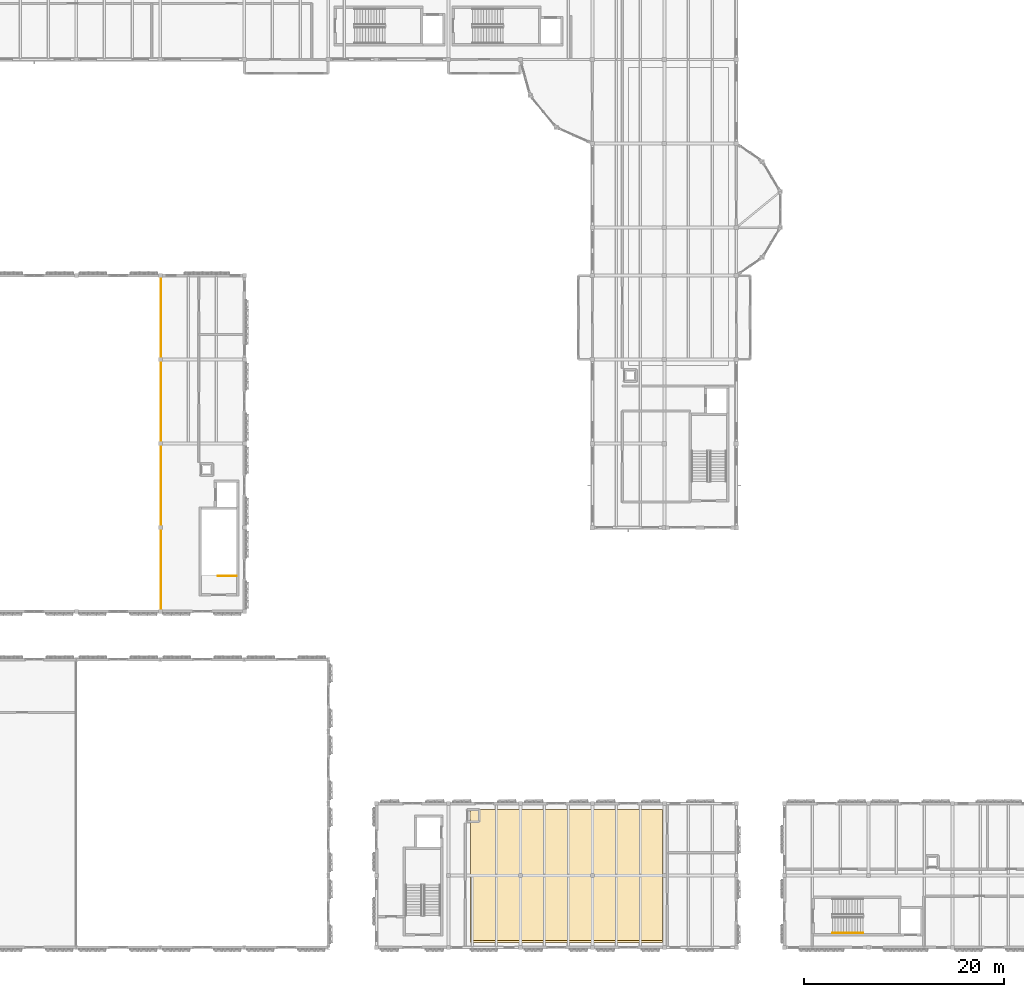
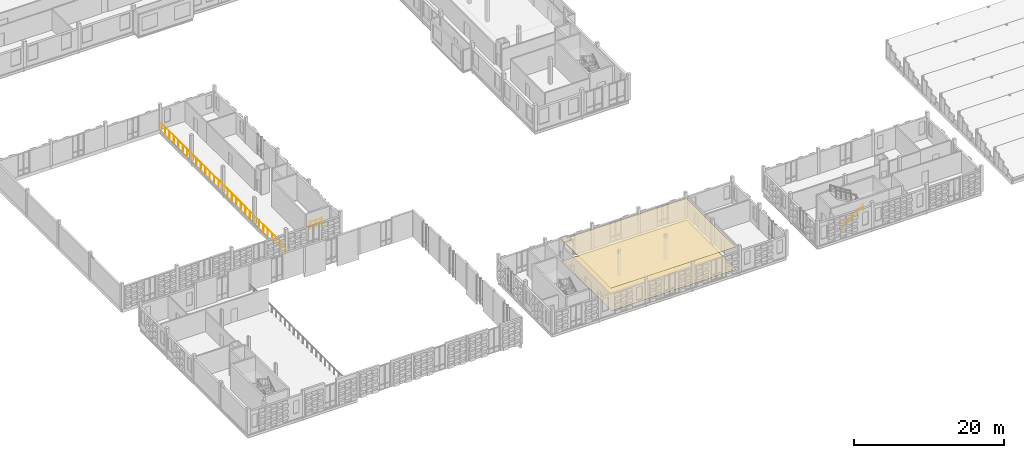
# One storey, part 76 of 81: 3 railings, 2 coverings.
"""IFC4 building model written with IfcOpenShell, lengths in metres."""

import ifcopenshell
import ifcopenshell.guid

model = None  # the IFC model being written
_history = None  # IfcOwnerHistory: only IFC2X3 demands one
_inside = {}  # id of a spatial element -> (the spatial element, [elements in it])
_under = {}  # id of a project, library or spatial element -> (it, [spatial elements below it])
_declared = {}  # id of a project -> (the project, [libraries it declares])
_typed = {}  # id of a type object -> (the type object, [elements of that type])
_made_of = {}  # id of a material, layer set ... -> (it, [elements and type objects made of it])


def new_model(schema):
    """Start an empty IFC model of exactly this schema.

    Asked for "IFC4X3", IfcOpenShell would pick the latest addendum, in which some entities
    have other attributes; the version numbers below select the first issue.
    IFC2X3 requires an IfcOwnerHistory on every rooted entity: one is made here for all.
    """
    global model, _history
    if schema == "IFC4X3":
        model = ifcopenshell.file(schema_version=(4, 3, 0, 0))
    else:
        model = ifcopenshell.file(schema=schema)
    _inside.clear()
    _under.clear()
    _declared.clear()
    _typed.clear()
    _made_of.clear()
    _history = None
    if model.schema == "IFC2X3":
        org = make("IfcOrganization", Name="unknown")
        user = make(
            "IfcPersonAndOrganization",
            ThePerson=make("IfcPerson", FamilyName="unknown"),
            TheOrganization=org,
        )
        app = make(
            "IfcApplication",
            ApplicationDeveloper=org,
            Version="unknown",
            ApplicationFullName="unknown",
            ApplicationIdentifier="unknown",
        )
        _history = make(
            "IfcOwnerHistory",
            OwningUser=user,
            OwningApplication=app,
            ChangeAction="ADDED",
            CreationDate=0,
        )
    return model


def make(cls, **values):
    """One entity of the class cls with the attributes given. An attribute that is None is left unset."""
    return model.create_entity(
        cls, **{name: value for name, value in values.items() if value is not None}
    )


def rooted(cls, **values):
    """An entity with a GlobalId (a new one), such as an element, a storey or a relation."""
    return make(cls, GlobalId=ifcopenshell.guid.new(), OwnerHistory=_history, **values)


def si_unit(unit_type, name, prefix=None):
    """IfcSIUnit, for example si_unit("LENGTHUNIT", "METRE", prefix="MILLI")."""
    return make("IfcSIUnit", UnitType=unit_type, Prefix=prefix, Name=name)


def assignment(units):
    """IfcUnitAssignment: the units of a project."""
    return None if units is None else make("IfcUnitAssignment", Units=units)


def point(xyz):
    """IfcCartesianPoint."""
    return None if xyz is None else make("IfcCartesianPoint", Coordinates=xyz)


def direction(xyz):
    """IfcDirection."""
    return None if xyz is None else make("IfcDirection", DirectionRatios=xyz)


def frame(location, z_axis=None, x_axis=None):
    """IfcAxis2Placement3D, a coordinate frame: its origin and axes. An axis left out is left unset."""
    return make(
        "IfcAxis2Placement3D",
        Location=point(location),
        Axis=direction(z_axis),
        RefDirection=direction(x_axis),
    )


def frame_2d(location, x_axis=None):
    """IfcAxis2Placement2D, a coordinate frame in the plane: its origin and x axis."""
    return make(
        "IfcAxis2Placement2D", Location=point(location), RefDirection=direction(x_axis)
    )


def origin():
    """The frame at (0, 0, 0) with its axes left unset."""
    return frame((0.0, 0.0, 0.0))


def origin_2d():
    """The frame at (0, 0) in the plane with its x axis left unset."""
    return frame_2d((0.0, 0.0))


def place(relative_to, where):
    """IfcLocalPlacement: puts the frame where relative to a parent placement (None: the world)."""
    return make(
        "IfcLocalPlacement", PlacementRelTo=relative_to, RelativePlacement=where
    )


def context(
    kind, dimensions, precision=None, world=None, true_north=None, identifier=None
):
    """IfcGeometricRepresentationContext, for example the 3D "Model" context."""
    return make(
        "IfcGeometricRepresentationContext",
        ContextIdentifier=identifier,
        ContextType=kind,
        CoordinateSpaceDimension=dimensions,
        Precision=precision,
        WorldCoordinateSystem=world,
        TrueNorth=true_north,
    )


def subcontext(parent, identifier, kind, view, scale=None):
    """IfcGeometricRepresentationSubContext, for example "Body" below "Model"."""
    return make(
        "IfcGeometricRepresentationSubContext",
        ContextIdentifier=identifier,
        ContextType=kind,
        ParentContext=parent,
        TargetScale=scale,
        TargetView=view,
    )


def project(units=None, contexts=None):
    """IfcProject with its units and contexts."""
    return rooted(
        "IfcProject",
        Name="project",
        RepresentationContexts=contexts,
        UnitsInContext=assignment(units),
    )


def spatial(cls, under=None, at=None, **own):
    """A site, building, storey or space (cls), placed at a placement, below another one or the project."""
    s = rooted(cls, ObjectPlacement=at, **own)
    if under is not None:
        _under.setdefault(under.id(), (under, []))[1].append(s)
    return s


def polyline(points):
    """IfcPolyline through the points."""
    return make("IfcPolyline", Points=[point(p) for p in points])


def profile(cls, at=None, kind="AREA", **sizes):
    """A parametric profile (cls). Its sizes go by their IFC names, for example OverallWidth=200.0."""
    return make(cls, ProfileType=kind, Position=at, **sizes)


def circle(**sizes):
    """IfcCircleProfileDef."""
    return profile("IfcCircleProfileDef", **sizes)


def outline(outer, holes=None, kind="AREA"):
    """IfcArbitraryClosedProfileDef: a profile drawn as a closed curve; with holes, ...WithVoids."""
    if holes is None:
        return make("IfcArbitraryClosedProfileDef", ProfileType=kind, OuterCurve=outer)
    return make(
        "IfcArbitraryProfileDefWithVoids",
        ProfileType=kind,
        OuterCurve=outer,
        InnerCurves=holes,
    )


def extrude(swept, where, along, depth):
    """IfcExtrudedAreaSolid: the profile swept, set in the frame where, extruded along a direction by depth."""
    return make(
        "IfcExtrudedAreaSolid",
        SweptArea=swept,
        Position=where,
        ExtrudedDirection=direction(along),
        Depth=depth,
    )


def shape(context_of_items, identifier, shape_type, items):
    """IfcShapeRepresentation: the items that make up one representation, for example the "Body"."""
    return make(
        "IfcShapeRepresentation",
        ContextOfItems=context_of_items,
        RepresentationIdentifier=identifier,
        RepresentationType=shape_type,
        Items=items,
    )


def material(Name=None, Category=None):
    """IfcMaterial."""
    return make("IfcMaterial", Name=Name, Category=Category)


def layer(
    of_material, thickness, ventilated=None, Name=None, Category=None, Priority=None
):
    """IfcMaterialLayer: one layer of a wall or slab, of a material (None: an air gap)."""
    return make(
        "IfcMaterialLayer",
        Material=of_material,
        LayerThickness=thickness,
        IsVentilated=ventilated,
        Name=Name,
        Category=Category,
        Priority=Priority,
    )


def layer_set(layers, Name=None):
    """IfcMaterialLayerSet."""
    return make("IfcMaterialLayerSet", MaterialLayers=layers, LayerSetName=Name)


def made_of(thing, what):
    """Note that an element or type object is made of a material, layer set ...; save() writes the relation."""
    if what is not None:
        _made_of.setdefault(what.id(), (what, []))[1].append(thing)
    return thing


def type_object(cls, material=None, **own):
    """A type object (cls), such as IfcWallType, which elements share."""
    return made_of(rooted(cls, **own), material)


def element(
    cls,
    number,
    at=None,
    inside=None,
    cuts=None,
    type_object=None,
    material=None,
    context=None,
    identifier="Body",
    shape_type=None,
    held_by="IfcProductDefinitionShape",
    body=None,
    shapes=None,
    **own,
):
    """One element of the class cls, such as IfcWall. Its Tag is "e" and its number.

    at: its placement. inside: the storey or other place that contains it. cuts: it is an
    opening in that element (IfcRelVoidsElement). A single representation is given by context,
    identifier, shape_type and body (its items); several are given by shapes. held_by: the class
    of the entity that holds the representations. save() writes the other relations.
    """
    e = rooted(cls, Tag="e%d" % number, ObjectPlacement=at, **own)
    if body is not None:
        shapes = [shape(context, identifier, shape_type, body)]
    if shapes is not None:
        e.Representation = make(held_by, Representations=shapes)
    if inside is not None:
        _inside.setdefault(inside.id(), (inside, []))[1].append(e)
    if cuts is not None:
        rooted(
            "IfcRelVoidsElement", RelatingBuildingElement=cuts, RelatedOpeningElement=e
        )
    if type_object is not None:
        _typed.setdefault(type_object.id(), (type_object, []))[1].append(e)
    return made_of(e, material)


def aggregate(whole, parts):
    """IfcRelAggregates: a whole, such as a stair, and the parts it consists of."""
    return rooted("IfcRelAggregates", RelatingObject=whole, RelatedObjects=parts)


def save(model, path):
    """Write the relations noted so far, then the file.

    IfcRelAggregates (storeys below a building ...), IfcRelContainedInSpatialStructure (elements
    in a storey), IfcRelDefinesByType, IfcRelAssociatesMaterial and IfcRelDeclares: one each for
    every whole, place, type object, material and project.
    """
    for whole, parts in _under.values():
        aggregate(whole, parts)
    for where, things in _inside.values():
        rooted(
            "IfcRelContainedInSpatialStructure",
            RelatedElements=things,
            RelatingStructure=where,
        )
    for kind, things in _typed.values():
        rooted("IfcRelDefinesByType", RelatedObjects=things, RelatingType=kind)
    for what, things in _made_of.values():
        rooted("IfcRelAssociatesMaterial", RelatedObjects=things, RelatingMaterial=what)
    for by, libraries in _declared.values():
        rooted("IfcRelDeclares", RelatingContext=by, RelatedDefinitions=libraries)
    model.write(path)


model = new_model("IFC4")

# Units and contexts
model_context = context("Model", 3, precision=1e-05, world=origin(), true_north=direction((0.0, 1.0)))
body_context = subcontext(model_context, "Body", "Model", "MODEL_VIEW")
ifc_project = project(units=[si_unit("LENGTHUNIT", "METRE"), si_unit("AREAUNIT", "SQUARE_METRE"), si_unit("VOLUMEUNIT", "CUBIC_METRE"), si_unit("PLANEANGLEUNIT", "RADIAN"), si_unit("MASSUNIT", "GRAM", prefix="KILO")], contexts=[model_context])

# Site, building, storey
site_placement = place(None, origin())
site = spatial("IfcSite", under=ifc_project, at=site_placement, CompositionType="ELEMENT")
building_placement = place(site_placement, origin())
building = spatial("IfcBuilding", under=site, at=building_placement, Name="Kahlenmark Community Centre", CompositionType="ELEMENT")
storey_placement = place(building_placement, frame((0.0, 0.0, 9.60009765625)))
storey = spatial("IfcBuildingStorey", under=building, at=storey_placement, Name="L02", CompositionType="ELEMENT", Elevation=9.60009765625)

# Coverings
ifc_material_1 = material(Name="Perforated birch acoustic ceiling panel")
ifc_layer_1 = layer(ifc_material_1, 0.0400390625)
ifc_layer_set_1 = layer_set([ifc_layer_1], Name="Perforated birch acoustic ceiling panel")
covering_type_1 = type_object("IfcCoveringType", Name="CVT-CEIL-ACOUST", PredefinedType="CEILING", material=ifc_layer_set_1)
covering_1_placement = place(storey_placement, frame((0.0, 0.0, 3.52001953125)))
element("IfcCovering", 1, at=covering_1_placement, inside=storey, type_object=covering_type_1, Name="Acoustic birch ceiling 05", PredefinedType="CEILING", context=body_context, shape_type="SweptSolid", body=[
    extrude(outline(polyline([(60.199951171875, 9.5), (79.39990234375, 9.5), (79.39990234375, 22.60009765625), (60.199951171875, 22.60009765625), (60.199951171875, 9.5)])), origin(), (0.0, 0.0, 1.0), 0.039794921875),
])
ifc_material_2 = material(Name="Oiled European oak parquet flooring")
ifc_layer_2 = layer(ifc_material_2, 0.02490234375)
ifc_layer_set_2 = layer_set([ifc_layer_2], Name="Oiled European oak parquet flooring")
covering_type_2 = type_object("IfcCoveringType", Name="CVT-FLR-OAK", PredefinedType="FLOORING", material=ifc_layer_set_2)
covering_2_placement = place(storey_placement, origin())
element("IfcCovering", 2, at=covering_2_placement, inside=storey, type_object=covering_type_2, Name="European oak parquet flooring 04", PredefinedType="FLOORING", context=body_context, shape_type="SweptSolid", body=[
    extrude(outline(polyline([(60.199951171875, 9.300048828125), (79.39990234375, 9.300048828125), (79.39990234375, 22.60009765625), (60.199951171875, 22.60009765625), (60.199951171875, 9.300048828125)])), origin(), (0.0, 0.0, 1.0), 0.02490234375),
])

# Railings
ifc_material_3 = material(Name="Powder-coated galvanized steel balustrade", Category="steel")
railing_type_1 = type_object("IfcRailingType", Name="RLT-BAL-1120", PredefinedType="BALUSTRADE", material=ifc_material_3)
railing_1_placement = place(storey_placement, frame((29.25, 42.550048828125, 0.0)))
element("IfcRailing", 3, at=railing_1_placement, inside=storey, type_object=railing_type_1, Name="Balustrade guard L02-016", PredefinedType="BALUSTRADE", context=body_context, shape_type="SweptSolid", body=[
    extrude(circle(Radius=0.02392578125, at=origin_2d()), frame((0.0, 0.0, 1.09619140625), z_axis=(0.0, 1.0, 0.0), x_axis=(-1.0, 0.0, 0.0)), (0.0, 0.0, 1.0), 33.300048828125),
    extrude(circle(Radius=0.02099609375, at=origin_2d()), origin(), (0.0, 0.0, 1.0), 1.072021484375),
    extrude(circle(Radius=0.02099609375, at=origin_2d()), frame((0.0, 1.189208984375, 0.0)), (0.0, 0.0, 1.0), 1.072021484375),
    extrude(circle(Radius=0.02099609375, at=origin_2d()), frame((0.0, 2.378662109375, 0.0)), (0.0, 0.0, 1.0), 1.072021484375),
    extrude(circle(Radius=0.02099609375, at=origin_2d()), frame((0.0, 3.56787109375, 0.0)), (0.0, 0.0, 1.0), 1.072021484375),
    extrude(circle(Radius=0.02099609375, at=origin_2d()), frame((0.0, 4.757080078125, 0.0)), (0.0, 0.0, 1.0), 1.072021484375),
    extrude(circle(Radius=0.02099609375, at=origin_2d()), frame((0.0, 5.946533203125, 0.0)), (0.0, 0.0, 1.0), 1.072021484375),
    extrude(circle(Radius=0.02099609375, at=origin_2d()), frame((0.0, 7.1357421875, 0.0)), (0.0, 0.0, 1.0), 1.072021484375),
    extrude(circle(Radius=0.02099609375, at=origin_2d()), frame((0.0, 8.324951171875, 0.0)), (0.0, 0.0, 1.0), 1.072021484375),
    extrude(circle(Radius=0.02099609375, at=origin_2d()), frame((0.0, 9.514404296875, 0.0)), (0.0, 0.0, 1.0), 1.072021484375),
    extrude(circle(Radius=0.02099609375, at=origin_2d()), frame((0.0, 10.70361328125, 0.0)), (0.0, 0.0, 1.0), 1.072021484375),
    extrude(circle(Radius=0.02099609375, at=origin_2d()), frame((0.0, 11.892822265625, 0.0)), (0.0, 0.0, 1.0), 1.072021484375),
    extrude(circle(Radius=0.02099609375, at=origin_2d()), frame((0.0, 13.082275390625, 0.0)), (0.0, 0.0, 1.0), 1.072021484375),
    extrude(circle(Radius=0.02099609375, at=origin_2d()), frame((0.0, 14.271484375, 0.0)), (0.0, 0.0, 1.0), 1.072021484375),
    extrude(circle(Radius=0.02099609375, at=origin_2d()), frame((0.0, 15.460693359375, 0.0)), (0.0, 0.0, 1.0), 1.072021484375),
    extrude(circle(Radius=0.02099609375, at=origin_2d()), frame((0.0, 16.64990234375, 0.0)), (0.0, 0.0, 1.0), 1.072021484375),
    extrude(circle(Radius=0.02099609375, at=origin_2d()), frame((0.0, 17.83935546875, 0.0)), (0.0, 0.0, 1.0), 1.072021484375),
    extrude(circle(Radius=0.02099609375, at=origin_2d()), frame((0.0, 19.028564453125, 0.0)), (0.0, 0.0, 1.0), 1.072021484375),
    extrude(circle(Radius=0.02099609375, at=origin_2d()), frame((0.0, 20.2177734375, 0.0)), (0.0, 0.0, 1.0), 1.072021484375),
    extrude(circle(Radius=0.02099609375, at=origin_2d()), frame((0.0, 21.4072265625, 0.0)), (0.0, 0.0, 1.0), 1.072021484375),
    extrude(circle(Radius=0.02099609375, at=origin_2d()), frame((0.0, 22.596435546875, 0.0)), (0.0, 0.0, 1.0), 1.072021484375),
    extrude(circle(Radius=0.02099609375, at=origin_2d()), frame((0.0, 23.78564453125, 0.0)), (0.0, 0.0, 1.0), 1.072021484375),
    extrude(circle(Radius=0.02099609375, at=origin_2d()), frame((0.0, 24.97509765625, 0.0)), (0.0, 0.0, 1.0), 1.072021484375),
    extrude(circle(Radius=0.02099609375, at=origin_2d()), frame((0.0, 26.164306640625, 0.0)), (0.0, 0.0, 1.0), 1.072021484375),
    extrude(circle(Radius=0.02099609375, at=origin_2d()), frame((0.0, 27.353515625, 0.0)), (0.0, 0.0, 1.0), 1.072021484375),
    extrude(circle(Radius=0.02099609375, at=origin_2d()), frame((0.0, 28.54296875, 0.0)), (0.0, 0.0, 1.0), 1.072021484375),
    extrude(circle(Radius=0.02099609375, at=origin_2d()), frame((0.0, 29.732177734375, 0.0)), (0.0, 0.0, 1.0), 1.072021484375),
    extrude(circle(Radius=0.02099609375, at=origin_2d()), frame((0.0, 30.92138671875, 0.0)), (0.0, 0.0, 1.0), 1.072021484375),
    extrude(circle(Radius=0.02099609375, at=origin_2d()), frame((0.0, 32.11083984375, 0.0)), (0.0, 0.0, 1.0), 1.072021484375),
    extrude(circle(Radius=0.02099609375, at=origin_2d()), frame((0.0, 33.300048828125, 0.0)), (0.0, 0.0, 1.0), 1.072021484375),
])
ifc_material_4 = material(Name="Brushed stainless steel 1.4301 handrail", Category="steel")
railing_type_2 = type_object("IfcRailingType", Name="RLT-HR-900", PredefinedType="HANDRAIL", material=ifc_material_4)
railing_2_placement = place(storey_placement, frame((96.39990234375, 10.25, 0.1748046875)))
element("IfcRailing", 4, at=railing_2_placement, inside=storey, type_object=railing_type_2, Name="L02 ST-07 stair handrail 1", PredefinedType="HANDRAIL", context=body_context, shape_type="SweptSolid", body=[
    extrude(circle(Radius=0.02392578125, at=origin_2d()), frame((0.0, 0.0, 0.8759765625), z_axis=(0.847998304005, 0.0, 0.529998940003), x_axis=(0.0, 1.0, 0.0)), (0.0, 0.0, 1.0), 3.632080078125),
    extrude(circle(Radius=0.02099609375, at=origin_2d()), origin(), (0.0, 0.0, 1.0), 0.851806640625),
    extrude(circle(Radius=0.02099609375, at=origin_2d()), frame((0.77001953125, 0.0, 0.481201171875)), (0.0, 0.0, 1.0), 0.851806640625),
    extrude(circle(Radius=0.02099609375, at=origin_2d()), frame((1.5400390625, 0.0, 0.96240234375)), (0.0, 0.0, 1.0), 0.851806640625),
    extrude(circle(Radius=0.02099609375, at=origin_2d()), frame((2.31005859375, 0.0, 1.44384765625)), (0.0, 0.0, 1.0), 0.851806640625),
    extrude(circle(Radius=0.02099609375, at=origin_2d()), frame((3.080078125, 0.0, 1.925048828125)), (0.0, 0.0, 1.0), 0.851806640625),
])
ifc_material_5 = material(Name="Powder-coated steel stair well guard", Category="steel")
railing_type_3 = type_object("IfcRailingType", Name="RLT-SG-1120", PredefinedType="GUARDRAIL", material=ifc_material_5)
railing_3_placement = place(storey_placement, frame((36.800048828125, 45.949951171875, 0.0)))
element("IfcRailing", 5, at=railing_3_placement, inside=storey, type_object=railing_type_3, Name="L02 ST-02 top well guard 1", PredefinedType="GUARDRAIL", context=body_context, shape_type="SweptSolid", body=[
    extrude(circle(Radius=0.02392578125, at=origin_2d()), frame((0.0, 0.0, 1.076171875), z_axis=(-1.0, 0.0, 0.0), x_axis=(0.0, -1.0, 0.0)), (0.0, 0.0, 1.0), 1.85009765625),
    extrude(circle(Radius=0.02099609375, at=origin_2d()), origin(), (0.0, 0.0, 1.0), 1.052001953125),
    extrude(circle(Radius=0.02099609375, at=origin_2d()), frame((-0.925048828125, 0.0, 0.0)), (0.0, 0.0, 1.0), 1.052001953125),
    extrude(circle(Radius=0.02099609375, at=origin_2d()), frame((-1.85009765625, 0.0, 0.0)), (0.0, 0.0, 1.0), 1.052001953125),
])

save(model, "model.ifc")
